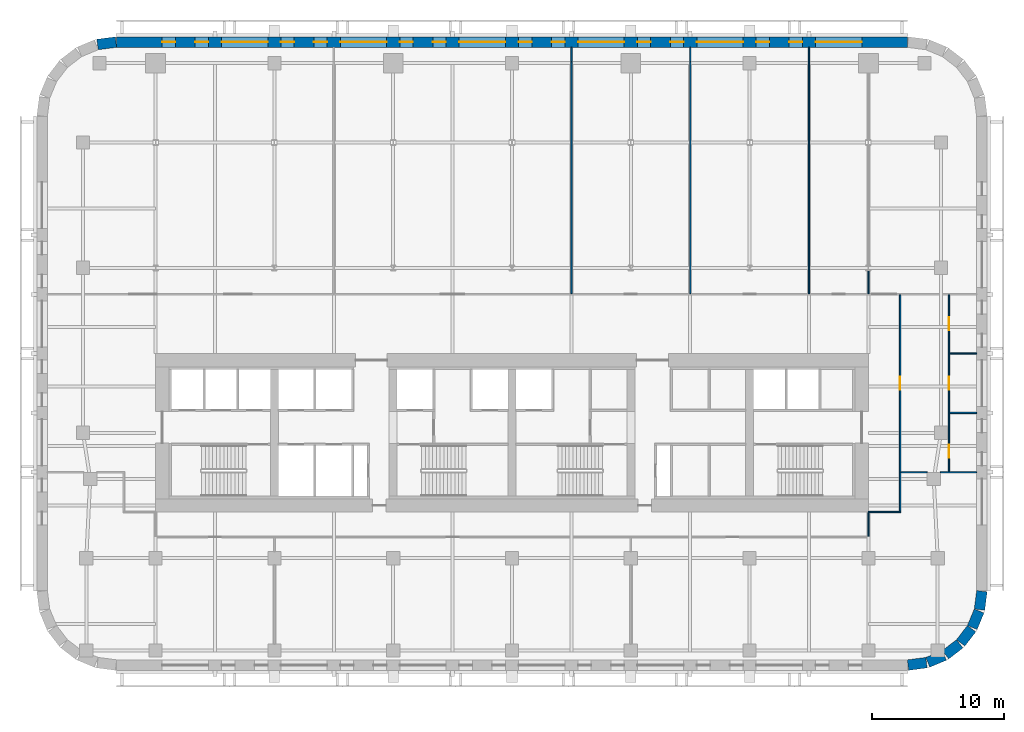
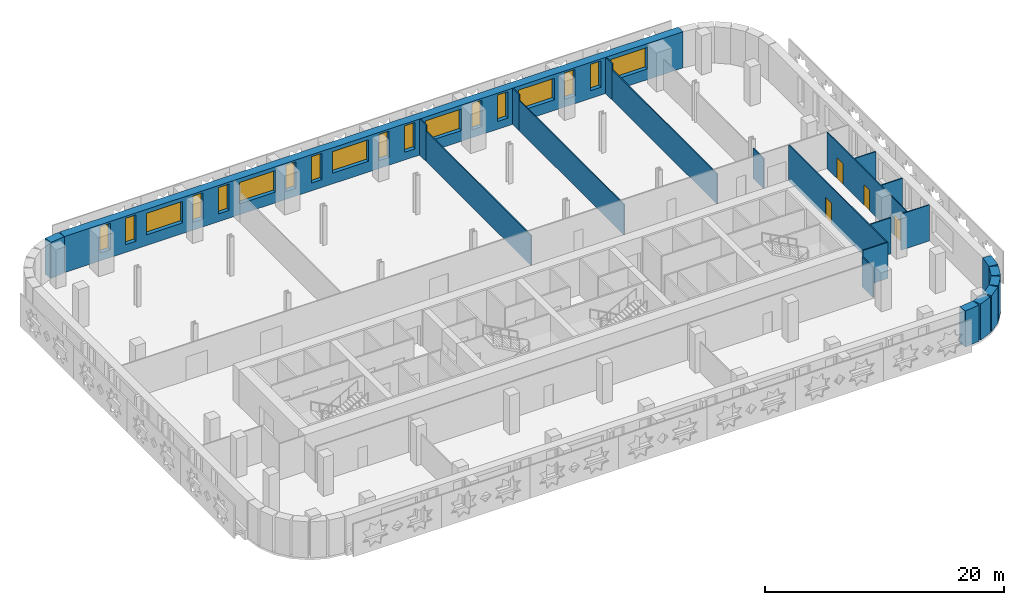
# One storey, part 6 of 10: 23 walls, 18 windows, 4 doors, 22 openings.
"""IFC4 building model written with IfcOpenShell, lengths in metres."""

from ifc_helpers import new_model, si_unit, direction, frame, frame_2d, origin, place, context, subcontext, project, spatial, rectangle, extrude, material, layer, layer_set, type_object, element, fill, save


model = new_model("IFC4")

# Units and contexts
model_context = context("Model", 3, precision=1e-05, world=origin(), true_north=direction((0.0, 1.0)))
body_context = subcontext(model_context, "Body", "Model", "MODEL_VIEW")
ifc_project = project(units=[si_unit("LENGTHUNIT", "METRE"), si_unit("AREAUNIT", "SQUARE_METRE"), si_unit("VOLUMEUNIT", "CUBIC_METRE"), si_unit("PLANEANGLEUNIT", "RADIAN"), si_unit("MASSUNIT", "GRAM", prefix="KILO")], contexts=[model_context])

# Site, building, storey
site_placement = place(None, origin())
site = spatial("IfcSite", under=ifc_project, at=site_placement, CompositionType="ELEMENT")
building_placement = place(site_placement, origin())
building = spatial("IfcBuilding", under=site, at=building_placement, Name="Zellij Exchange Tower", CompositionType="ELEMENT")
storey_placement = place(building_placement, frame((0.0, 0.0, 152.5)))
storey = spatial("IfcBuildingStorey", under=building, at=storey_placement, Name="L34", CompositionType="ELEMENT", Elevation=152.5)

# Walls
ifc_material_1 = material(Name="Precast concrete C40/50", Category="concrete")
ifc_layer_1 = layer(ifc_material_1, 0.800048828125)
ifc_layer_set_1 = layer_set([ifc_layer_1], Name="Precast concrete C40/50")
wall_type_1 = type_object("IfcWallType", Name="ENV-EW1 Precast stone-piered wall 800", PredefinedType="SOLIDWALL", material=ifc_layer_set_1)
wall_1_placement = place(storey_placement, frame((29.999755859375, -25.5966796875, 0.0), z_axis=(0.0, 0.0, 1.0), x_axis=(0.99144603414, 0.130517283865, 0.0)))
element("IfcWall", 1, at=wall_1_placement, inside=storey, type_object=wall_type_1, Name="fac.L34.01", PredefinedType="SOLIDWALL", context=body_context, shape_type="SweptSolid", body=[
    extrude(rectangle(XDim=1.408447265625, YDim=0.800048828125, at=frame_2d((0.7041015625, 0.0))), origin(), (0.0, 0.0, 1.0), 3.699951171875),
])
wall_2_placement = place(storey_placement, frame((31.497314453125, -25.3857421875, 0.0), z_axis=(0.0, 0.0, 1.0), x_axis=(0.923847774587, 0.38276009378, 0.0)))
element("IfcWall", 2, at=wall_2_placement, inside=storey, type_object=wall_type_1, Name="fac.L34.02", PredefinedType="SOLIDWALL", context=body_context, shape_type="SweptSolid", body=[
    extrude(rectangle(XDim=1.35546875, YDim=0.800048828125, at=frame_2d((0.677734375, 0.0))), origin(), (0.0, 0.0, 1.0), 3.699951171875),
])
for number, where, z_axis, x_axis, name in (
    (3, (32.840087890625, -24.814697265625, 0.0), (0.0, 0.0, 1.0), (0.793272915452, 0.608866226366, 0.0), "fac.L34.03"),
    (4, (33.9892578125, -23.91552734375, 0.0), (0.0, 0.0, 1.0), (0.608866226366, 0.793272915452, 0.0), "fac.L34.04"),
):
    element("IfcWall", number, at=place(storey_placement, frame(where, z_axis=z_axis, x_axis=x_axis)), inside=storey, type_object=wall_type_1, Name=name, PredefinedType="SOLIDWALL", context=body_context, shape_type="SweptSolid", body=[
        extrude(rectangle(XDim=1.355712890625, YDim=0.800048828125, at=frame_2d((0.677734375, 0.0))), origin(), (0.0, 0.0, 1.0), 3.699951171875),
    ])
wall_3_placement = place(storey_placement, frame((34.866943359375, -22.74951171875, 0.0), z_axis=(0.0, 0.0, 1.0), x_axis=(0.38276009378, 0.923847774587, 0.0)))
element("IfcWall", 5, at=wall_3_placement, inside=storey, type_object=wall_type_1, Name="fac.L34.05", PredefinedType="SOLIDWALL", context=body_context, shape_type="SweptSolid", body=[
    extrude(rectangle(XDim=1.35546875, YDim=0.800048828125, at=frame_2d((0.677734375, 0.0))), origin(), (0.0, 0.0, 1.0), 3.699951171875),
])
wall_4_placement = place(storey_placement, frame((35.412841796875, -21.396240234375, 0.0), z_axis=(0.0, 0.0, 1.0), x_axis=(0.130517283865, 0.99144603414, 0.0)))
element("IfcWall", 6, at=wall_4_placement, inside=storey, type_object=wall_type_1, Name="fac.L34.06", PredefinedType="SOLIDWALL", context=body_context, shape_type="SweptSolid", body=[
    extrude(rectangle(XDim=1.408447265625, YDim=0.800048828125, at=frame_2d((0.7041015625, 0.0))), origin(), (0.0, 0.0, 1.0), 3.699951171875),
])

# Wall, openings, windows
wall_5_placement = place(storey_placement, frame((29.947509765625, 21.60009765625, 0.0), z_axis=(0.0, 0.0, 1.0), x_axis=(-1.0, 0.0, 0.0)))
wall_5 = element("IfcWall", 7, at=wall_5_placement, inside=storey, type_object=wall_type_1, Name="fac.L34.14", PredefinedType="SOLIDWALL", context=body_context, shape_type="SweptSolid", body=[
    extrude(rectangle(XDim=59.89501953125, YDim=0.800048828125, at=frame_2d((29.947509765625, 0.0))), origin(), (0.0, 0.0, 1.0), 3.699951171875),
])
opening_1_placement = place(wall_5_placement, frame((3.447509765625, 0.0, 1.10009765625)))
opening_1 = element("IfcOpeningElement", 8, at=opening_1_placement, cuts=wall_5, Name="Opening FZ2.28", PredefinedType="OPENING", context=body_context, shape_type="SweptSolid", body=[
    extrude(rectangle(XDim=3.5, YDim=2.199951171875, at=frame_2d((1.75, 1.10009765625))), frame((0.0, 0.412109375, 0.0), z_axis=(0.0, -1.0, 0.0), x_axis=(1.0, 0.0, 0.0)), (0.0, 0.0, 1.0), 0.823974609375),
])
opening_2_placement = place(wall_5_placement, frame((7.947509765625, 0.0, 0.800048828125)))
opening_2 = element("IfcOpeningElement", 9, at=opening_2_placement, cuts=wall_5, Name="Opening FZ2.29", PredefinedType="OPENING", context=body_context, shape_type="SweptSolid", body=[
    extrude(rectangle(XDim=1.0, YDim=2.699951171875, at=frame_2d((0.5, 1.35009765625))), frame((0.0, 0.412109375, 0.0), z_axis=(0.0, -1.0, 0.0), x_axis=(1.0, 0.0, 0.0)), (0.0, 0.0, 1.0), 0.823974609375),
])
opening_3_placement = place(wall_5_placement, frame((10.447509765625, 0.0, 0.800048828125)))
opening_3 = element("IfcOpeningElement", 10, at=opening_3_placement, cuts=wall_5, Name="Opening FZ2.30", PredefinedType="OPENING", context=body_context, shape_type="SweptSolid", body=[
    extrude(rectangle(XDim=1.0, YDim=2.699951171875, at=frame_2d((0.5, 1.35009765625))), frame((0.0, 0.412109375, 0.0), z_axis=(0.0, -1.0, 0.0), x_axis=(1.0, 0.0, 0.0)), (0.0, 0.0, 1.0), 0.823974609375),
])
opening_4_placement = place(wall_5_placement, frame((12.447509765625, 0.0, 1.10009765625)))
opening_4 = element("IfcOpeningElement", 11, at=opening_4_placement, cuts=wall_5, Name="Opening FZ2.31", PredefinedType="OPENING", context=body_context, shape_type="SweptSolid", body=[
    extrude(rectangle(XDim=3.5, YDim=2.199951171875, at=frame_2d((1.75, 1.10009765625))), frame((0.0, 0.412109375, 0.0), z_axis=(0.0, -1.0, 0.0), x_axis=(1.0, 0.0, 0.0)), (0.0, 0.0, 1.0), 0.823974609375),
])
opening_5_placement = place(wall_5_placement, frame((16.947509765625, 0.0, 0.800048828125)))
opening_5 = element("IfcOpeningElement", 12, at=opening_5_placement, cuts=wall_5, Name="Opening FZ2.32", PredefinedType="OPENING", context=body_context, shape_type="SweptSolid", body=[
    extrude(rectangle(XDim=1.0, YDim=2.699951171875, at=frame_2d((0.5, 1.35009765625))), frame((0.0, 0.412109375, 0.0), z_axis=(0.0, -1.0, 0.0), x_axis=(1.0, 0.0, 0.0)), (0.0, 0.0, 1.0), 0.823974609375),
])
opening_6_placement = place(wall_5_placement, frame((19.447509765625, 0.0, 0.800048828125)))
opening_6 = element("IfcOpeningElement", 13, at=opening_6_placement, cuts=wall_5, Name="Opening FZ2.33", PredefinedType="OPENING", context=body_context, shape_type="SweptSolid", body=[
    extrude(rectangle(XDim=1.0, YDim=2.699951171875, at=frame_2d((0.5, 1.35009765625))), frame((0.0, 0.412109375, 0.0), z_axis=(0.0, -1.0, 0.0), x_axis=(1.0, 0.0, 0.0)), (0.0, 0.0, 1.0), 0.823974609375),
])
opening_7_placement = place(wall_5_placement, frame((21.447509765625, 0.0, 1.10009765625)))
opening_7 = element("IfcOpeningElement", 14, at=opening_7_placement, cuts=wall_5, Name="Opening FZ2.34", PredefinedType="OPENING", context=body_context, shape_type="SweptSolid", body=[
    extrude(rectangle(XDim=3.5, YDim=2.199951171875, at=frame_2d((1.75, 1.10009765625))), frame((0.0, 0.412109375, 0.0), z_axis=(0.0, -1.0, 0.0), x_axis=(1.0, 0.0, 0.0)), (0.0, 0.0, 1.0), 0.823974609375),
])
opening_8_placement = place(wall_5_placement, frame((25.947509765625, 0.0, 0.800048828125)))
opening_8 = element("IfcOpeningElement", 15, at=opening_8_placement, cuts=wall_5, Name="Opening FZ2.35", PredefinedType="OPENING", context=body_context, shape_type="SweptSolid", body=[
    extrude(rectangle(XDim=1.0, YDim=2.699951171875, at=frame_2d((0.5, 1.35009765625))), frame((0.0, 0.412109375, 0.0), z_axis=(0.0, -1.0, 0.0), x_axis=(1.0, 0.0, 0.0)), (0.0, 0.0, 1.0), 0.823974609375),
])
opening_9_placement = place(wall_5_placement, frame((28.447509765625, 0.0, 0.800048828125)))
opening_9 = element("IfcOpeningElement", 16, at=opening_9_placement, cuts=wall_5, Name="Opening FZ2.36", PredefinedType="OPENING", context=body_context, shape_type="SweptSolid", body=[
    extrude(rectangle(XDim=1.0, YDim=2.699951171875, at=frame_2d((0.5, 1.35009765625))), frame((0.0, 0.412109375, 0.0), z_axis=(0.0, -1.0, 0.0), x_axis=(1.0, 0.0, 0.0)), (0.0, 0.0, 1.0), 0.823974609375),
])
opening_10_placement = place(wall_5_placement, frame((30.447509765625, 0.0, 1.10009765625)))
opening_10 = element("IfcOpeningElement", 17, at=opening_10_placement, cuts=wall_5, Name="Opening FZ2.37", PredefinedType="OPENING", context=body_context, shape_type="SweptSolid", body=[
    extrude(rectangle(XDim=3.5, YDim=2.199951171875, at=frame_2d((1.75, 1.10009765625))), frame((0.0, 0.412109375, 0.0), z_axis=(0.0, -1.0, 0.0), x_axis=(1.0, 0.0, 0.0)), (0.0, 0.0, 1.0), 0.823974609375),
])
opening_11_placement = place(wall_5_placement, frame((34.947509765625, 0.0, 0.800048828125)))
opening_11 = element("IfcOpeningElement", 18, at=opening_11_placement, cuts=wall_5, Name="Opening FZ2.38", PredefinedType="OPENING", context=body_context, shape_type="SweptSolid", body=[
    extrude(rectangle(XDim=1.0, YDim=2.699951171875, at=frame_2d((0.5, 1.35009765625))), frame((0.0, 0.412109375, 0.0), z_axis=(0.0, -1.0, 0.0), x_axis=(1.0, 0.0, 0.0)), (0.0, 0.0, 1.0), 0.823974609375),
])
opening_12_placement = place(wall_5_placement, frame((37.447509765625, 0.0, 0.800048828125)))
opening_12 = element("IfcOpeningElement", 19, at=opening_12_placement, cuts=wall_5, Name="Opening FZ2.39", PredefinedType="OPENING", context=body_context, shape_type="SweptSolid", body=[
    extrude(rectangle(XDim=1.0, YDim=2.699951171875, at=frame_2d((0.5, 1.35009765625))), frame((0.0, 0.412109375, 0.0), z_axis=(0.0, -1.0, 0.0), x_axis=(1.0, 0.0, 0.0)), (0.0, 0.0, 1.0), 0.823974609375),
])
opening_13_placement = place(wall_5_placement, frame((39.447509765625, 0.0, 1.10009765625)))
opening_13 = element("IfcOpeningElement", 20, at=opening_13_placement, cuts=wall_5, Name="Opening FZ2.40", PredefinedType="OPENING", context=body_context, shape_type="SweptSolid", body=[
    extrude(rectangle(XDim=3.5, YDim=2.199951171875, at=frame_2d((1.75, 1.10009765625))), frame((0.0, 0.412109375, 0.0), z_axis=(0.0, -1.0, 0.0), x_axis=(1.0, 0.0, 0.0)), (0.0, 0.0, 1.0), 0.823974609375),
])
opening_14_placement = place(wall_5_placement, frame((43.947509765625, 0.0, 0.800048828125)))
opening_14 = element("IfcOpeningElement", 21, at=opening_14_placement, cuts=wall_5, Name="Opening FZ2.41", PredefinedType="OPENING", context=body_context, shape_type="SweptSolid", body=[
    extrude(rectangle(XDim=1.0, YDim=2.699951171875, at=frame_2d((0.5, 1.35009765625))), frame((0.0, 0.412109375, 0.0), z_axis=(0.0, -1.0, 0.0), x_axis=(1.0, 0.0, 0.0)), (0.0, 0.0, 1.0), 0.823974609375),
])
opening_15_placement = place(wall_5_placement, frame((46.447509765625, 0.0, 0.800048828125)))
opening_15 = element("IfcOpeningElement", 22, at=opening_15_placement, cuts=wall_5, Name="Opening FZ2.42", PredefinedType="OPENING", context=body_context, shape_type="SweptSolid", body=[
    extrude(rectangle(XDim=1.0, YDim=2.699951171875, at=frame_2d((0.5, 1.35009765625))), frame((0.0, 0.412109375, 0.0), z_axis=(0.0, -1.0, 0.0), x_axis=(1.0, 0.0, 0.0)), (0.0, 0.0, 1.0), 0.823974609375),
])
opening_16_placement = place(wall_5_placement, frame((48.447509765625, 0.0, 1.10009765625)))
opening_16 = element("IfcOpeningElement", 23, at=opening_16_placement, cuts=wall_5, Name="Opening FZ2.43", PredefinedType="OPENING", context=body_context, shape_type="SweptSolid", body=[
    extrude(rectangle(XDim=3.5, YDim=2.199951171875, at=frame_2d((1.75, 1.10009765625))), frame((0.0, 0.412109375, 0.0), z_axis=(0.0, -1.0, 0.0), x_axis=(1.0, 0.0, 0.0)), (0.0, 0.0, 1.0), 0.823974609375),
])
opening_17_placement = place(wall_5_placement, frame((52.947509765625, 0.0, 0.800048828125)))
opening_17 = element("IfcOpeningElement", 24, at=opening_17_placement, cuts=wall_5, Name="Opening FZ2.44", PredefinedType="OPENING", context=body_context, shape_type="SweptSolid", body=[
    extrude(rectangle(XDim=1.0, YDim=2.699951171875, at=frame_2d((0.5, 1.35009765625))), frame((0.0, 0.412109375, 0.0), z_axis=(0.0, -1.0, 0.0), x_axis=(1.0, 0.0, 0.0)), (0.0, 0.0, 1.0), 0.823974609375),
])
opening_18_placement = place(wall_5_placement, frame((55.447509765625, 0.0, 0.800048828125)))
opening_18 = element("IfcOpeningElement", 25, at=opening_18_placement, cuts=wall_5, Name="Opening FZ2.45", PredefinedType="OPENING", context=body_context, shape_type="SweptSolid", body=[
    extrude(rectangle(XDim=1.0, YDim=2.699951171875, at=frame_2d((0.5, 1.35009765625))), frame((0.0, 0.412109375, 0.0), z_axis=(0.0, -1.0, 0.0), x_axis=(1.0, 0.0, 0.0)), (0.0, 0.0, 1.0), 0.823974609375),
])
ifc_material_2 = material(Name="Aluminium frame with insulating glass", Category="aluminium")
window_type_1 = type_object("IfcWindowType", Name="ENV-W7 Window 3500x2200", PartitioningType="SINGLE_PANEL", PredefinedType="WINDOW", material=ifc_material_2)
window_1_placement = place(opening_1_placement, origin())
window_1 = element("IfcWindow", 26, at=window_1_placement, inside=storey, type_object=window_type_1, Name="Window FZ2.28", OverallHeight=2.199951171875, OverallWidth=3.5, PartitioningType="SINGLE_PANEL", PredefinedType="WINDOW", context=body_context, shape_type="SweptSolid", body=[
    extrude(rectangle(XDim=3.5, YDim=2.199951171875, at=frame_2d((1.75, 1.10009765625))), frame((0.0, 0.030029296875, 0.0), z_axis=(0.0, -1.0, 0.0), x_axis=(1.0, 0.0, 0.0)), (0.0, 0.0, 1.0), 0.06005859375),
])
fill(opening_1, window_1)
window_2_placement = place(opening_4_placement, origin())
window_2 = element("IfcWindow", 27, at=window_2_placement, inside=storey, type_object=window_type_1, Name="Window FZ2.31", OverallHeight=2.199951171875, OverallWidth=3.5, PartitioningType="SINGLE_PANEL", PredefinedType="WINDOW", context=body_context, shape_type="SweptSolid", body=[
    extrude(rectangle(XDim=3.5, YDim=2.199951171875, at=frame_2d((1.75, 1.10009765625))), frame((0.0, 0.030029296875, 0.0), z_axis=(0.0, -1.0, 0.0), x_axis=(1.0, 0.0, 0.0)), (0.0, 0.0, 1.0), 0.06005859375),
])
fill(opening_4, window_2)
window_3_placement = place(opening_7_placement, origin())
window_3 = element("IfcWindow", 28, at=window_3_placement, inside=storey, type_object=window_type_1, Name="Window FZ2.34", OverallHeight=2.199951171875, OverallWidth=3.5, PartitioningType="SINGLE_PANEL", PredefinedType="WINDOW", context=body_context, shape_type="SweptSolid", body=[
    extrude(rectangle(XDim=3.5, YDim=2.199951171875, at=frame_2d((1.75, 1.10009765625))), frame((0.0, 0.030029296875, 0.0), z_axis=(0.0, -1.0, 0.0), x_axis=(1.0, 0.0, 0.0)), (0.0, 0.0, 1.0), 0.06005859375),
])
fill(opening_7, window_3)
window_4_placement = place(opening_10_placement, origin())
window_4 = element("IfcWindow", 29, at=window_4_placement, inside=storey, type_object=window_type_1, Name="Window FZ2.37", OverallHeight=2.199951171875, OverallWidth=3.5, PartitioningType="SINGLE_PANEL", PredefinedType="WINDOW", context=body_context, shape_type="SweptSolid", body=[
    extrude(rectangle(XDim=3.5, YDim=2.199951171875, at=frame_2d((1.75, 1.10009765625))), frame((0.0, 0.030029296875, 0.0), z_axis=(0.0, -1.0, 0.0), x_axis=(1.0, 0.0, 0.0)), (0.0, 0.0, 1.0), 0.06005859375),
])
fill(opening_10, window_4)
window_5_placement = place(opening_13_placement, origin())
window_5 = element("IfcWindow", 30, at=window_5_placement, inside=storey, type_object=window_type_1, Name="Window FZ2.40", OverallHeight=2.199951171875, OverallWidth=3.5, PartitioningType="SINGLE_PANEL", PredefinedType="WINDOW", context=body_context, shape_type="SweptSolid", body=[
    extrude(rectangle(XDim=3.5, YDim=2.199951171875, at=frame_2d((1.75, 1.10009765625))), frame((0.0, 0.030029296875, 0.0), z_axis=(0.0, -1.0, 0.0), x_axis=(1.0, 0.0, 0.0)), (0.0, 0.0, 1.0), 0.06005859375),
])
fill(opening_13, window_5)
window_6_placement = place(opening_16_placement, origin())
window_6 = element("IfcWindow", 31, at=window_6_placement, inside=storey, type_object=window_type_1, Name="Window FZ2.43", OverallHeight=2.199951171875, OverallWidth=3.5, PartitioningType="SINGLE_PANEL", PredefinedType="WINDOW", context=body_context, shape_type="SweptSolid", body=[
    extrude(rectangle(XDim=3.5, YDim=2.199951171875, at=frame_2d((1.75, 1.10009765625))), frame((0.0, 0.030029296875, 0.0), z_axis=(0.0, -1.0, 0.0), x_axis=(1.0, 0.0, 0.0)), (0.0, 0.0, 1.0), 0.06005859375),
])
fill(opening_16, window_6)
window_type_2 = type_object("IfcWindowType", Name="ENV-W8 Window 1000x2700", PartitioningType="SINGLE_PANEL", PredefinedType="WINDOW", material=ifc_material_2)
window_7_placement = place(opening_2_placement, origin())
window_7 = element("IfcWindow", 32, at=window_7_placement, inside=storey, type_object=window_type_2, Name="Window FZ2.29", OverallHeight=2.699951171875, OverallWidth=1.0, PartitioningType="SINGLE_PANEL", PredefinedType="WINDOW", context=body_context, shape_type="SweptSolid", body=[
    extrude(rectangle(XDim=1.0, YDim=2.699951171875, at=frame_2d((0.5, 1.35009765625))), frame((0.0, 0.030029296875, 0.0), z_axis=(0.0, -1.0, 0.0), x_axis=(1.0, 0.0, 0.0)), (0.0, 0.0, 1.0), 0.06005859375),
])
fill(opening_2, window_7)
window_8_placement = place(opening_3_placement, origin())
window_8 = element("IfcWindow", 33, at=window_8_placement, inside=storey, type_object=window_type_2, Name="Window FZ2.30", OverallHeight=2.699951171875, OverallWidth=1.0, PartitioningType="SINGLE_PANEL", PredefinedType="WINDOW", context=body_context, shape_type="SweptSolid", body=[
    extrude(rectangle(XDim=1.0, YDim=2.699951171875, at=frame_2d((0.5, 1.35009765625))), frame((0.0, 0.030029296875, 0.0), z_axis=(0.0, -1.0, 0.0), x_axis=(1.0, 0.0, 0.0)), (0.0, 0.0, 1.0), 0.06005859375),
])
fill(opening_3, window_8)
window_9_placement = place(opening_5_placement, origin())
window_9 = element("IfcWindow", 34, at=window_9_placement, inside=storey, type_object=window_type_2, Name="Window FZ2.32", OverallHeight=2.699951171875, OverallWidth=1.0, PartitioningType="SINGLE_PANEL", PredefinedType="WINDOW", context=body_context, shape_type="SweptSolid", body=[
    extrude(rectangle(XDim=1.0, YDim=2.699951171875, at=frame_2d((0.5, 1.35009765625))), frame((0.0, 0.030029296875, 0.0), z_axis=(0.0, -1.0, 0.0), x_axis=(1.0, 0.0, 0.0)), (0.0, 0.0, 1.0), 0.06005859375),
])
fill(opening_5, window_9)
window_10_placement = place(opening_6_placement, origin())
window_10 = element("IfcWindow", 35, at=window_10_placement, inside=storey, type_object=window_type_2, Name="Window FZ2.33", OverallHeight=2.699951171875, OverallWidth=1.0, PartitioningType="SINGLE_PANEL", PredefinedType="WINDOW", context=body_context, shape_type="SweptSolid", body=[
    extrude(rectangle(XDim=1.0, YDim=2.699951171875, at=frame_2d((0.5, 1.35009765625))), frame((0.0, 0.030029296875, 0.0), z_axis=(0.0, -1.0, 0.0), x_axis=(1.0, 0.0, 0.0)), (0.0, 0.0, 1.0), 0.06005859375),
])
fill(opening_6, window_10)
window_11_placement = place(opening_8_placement, origin())
window_11 = element("IfcWindow", 36, at=window_11_placement, inside=storey, type_object=window_type_2, Name="Window FZ2.35", OverallHeight=2.699951171875, OverallWidth=1.0, PartitioningType="SINGLE_PANEL", PredefinedType="WINDOW", context=body_context, shape_type="SweptSolid", body=[
    extrude(rectangle(XDim=1.0, YDim=2.699951171875, at=frame_2d((0.5, 1.35009765625))), frame((0.0, 0.030029296875, 0.0), z_axis=(0.0, -1.0, 0.0), x_axis=(1.0, 0.0, 0.0)), (0.0, 0.0, 1.0), 0.06005859375),
])
fill(opening_8, window_11)
window_12_placement = place(opening_9_placement, origin())
window_12 = element("IfcWindow", 37, at=window_12_placement, inside=storey, type_object=window_type_2, Name="Window FZ2.36", OverallHeight=2.699951171875, OverallWidth=1.0, PartitioningType="SINGLE_PANEL", PredefinedType="WINDOW", context=body_context, shape_type="SweptSolid", body=[
    extrude(rectangle(XDim=1.0, YDim=2.699951171875, at=frame_2d((0.5, 1.35009765625))), frame((0.0, 0.030029296875, 0.0), z_axis=(0.0, -1.0, 0.0), x_axis=(1.0, 0.0, 0.0)), (0.0, 0.0, 1.0), 0.06005859375),
])
fill(opening_9, window_12)
window_13_placement = place(opening_11_placement, origin())
window_13 = element("IfcWindow", 38, at=window_13_placement, inside=storey, type_object=window_type_2, Name="Window FZ2.38", OverallHeight=2.699951171875, OverallWidth=1.0, PartitioningType="SINGLE_PANEL", PredefinedType="WINDOW", context=body_context, shape_type="SweptSolid", body=[
    extrude(rectangle(XDim=1.0, YDim=2.699951171875, at=frame_2d((0.5, 1.35009765625))), frame((0.0, 0.030029296875, 0.0), z_axis=(0.0, -1.0, 0.0), x_axis=(1.0, 0.0, 0.0)), (0.0, 0.0, 1.0), 0.06005859375),
])
fill(opening_11, window_13)
window_14_placement = place(opening_12_placement, origin())
window_14 = element("IfcWindow", 39, at=window_14_placement, inside=storey, type_object=window_type_2, Name="Window FZ2.39", OverallHeight=2.699951171875, OverallWidth=1.0, PartitioningType="SINGLE_PANEL", PredefinedType="WINDOW", context=body_context, shape_type="SweptSolid", body=[
    extrude(rectangle(XDim=1.0, YDim=2.699951171875, at=frame_2d((0.5, 1.35009765625))), frame((0.0, 0.030029296875, 0.0), z_axis=(0.0, -1.0, 0.0), x_axis=(1.0, 0.0, 0.0)), (0.0, 0.0, 1.0), 0.06005859375),
])
fill(opening_12, window_14)
window_15_placement = place(opening_14_placement, origin())
window_15 = element("IfcWindow", 40, at=window_15_placement, inside=storey, type_object=window_type_2, Name="Window FZ2.41", OverallHeight=2.699951171875, OverallWidth=1.0, PartitioningType="SINGLE_PANEL", PredefinedType="WINDOW", context=body_context, shape_type="SweptSolid", body=[
    extrude(rectangle(XDim=1.0, YDim=2.699951171875, at=frame_2d((0.5, 1.35009765625))), frame((0.0, 0.030029296875, 0.0), z_axis=(0.0, -1.0, 0.0), x_axis=(1.0, 0.0, 0.0)), (0.0, 0.0, 1.0), 0.06005859375),
])
fill(opening_14, window_15)
window_16_placement = place(opening_15_placement, origin())
window_16 = element("IfcWindow", 41, at=window_16_placement, inside=storey, type_object=window_type_2, Name="Window FZ2.42", OverallHeight=2.699951171875, OverallWidth=1.0, PartitioningType="SINGLE_PANEL", PredefinedType="WINDOW", context=body_context, shape_type="SweptSolid", body=[
    extrude(rectangle(XDim=1.0, YDim=2.699951171875, at=frame_2d((0.5, 1.35009765625))), frame((0.0, 0.030029296875, 0.0), z_axis=(0.0, -1.0, 0.0), x_axis=(1.0, 0.0, 0.0)), (0.0, 0.0, 1.0), 0.06005859375),
])
fill(opening_15, window_16)
window_17_placement = place(opening_17_placement, origin())
window_17 = element("IfcWindow", 42, at=window_17_placement, inside=storey, type_object=window_type_2, Name="Window FZ2.44", OverallHeight=2.699951171875, OverallWidth=1.0, PartitioningType="SINGLE_PANEL", PredefinedType="WINDOW", context=body_context, shape_type="SweptSolid", body=[
    extrude(rectangle(XDim=1.0, YDim=2.699951171875, at=frame_2d((0.5, 1.35009765625))), frame((0.0, 0.030029296875, 0.0), z_axis=(0.0, -1.0, 0.0), x_axis=(1.0, 0.0, 0.0)), (0.0, 0.0, 1.0), 0.06005859375),
])
fill(opening_17, window_17)
window_18_placement = place(opening_18_placement, origin())
window_18 = element("IfcWindow", 43, at=window_18_placement, inside=storey, type_object=window_type_2, Name="Window FZ2.45", OverallHeight=2.699951171875, OverallWidth=1.0, PartitioningType="SINGLE_PANEL", PredefinedType="WINDOW", context=body_context, shape_type="SweptSolid", body=[
    extrude(rectangle(XDim=1.0, YDim=2.699951171875, at=frame_2d((0.5, 1.35009765625))), frame((0.0, 0.030029296875, 0.0), z_axis=(0.0, -1.0, 0.0), x_axis=(1.0, 0.0, 0.0)), (0.0, 0.0, 1.0), 0.06005859375),
])
fill(opening_18, window_18)

# Walls
wall_6_placement = place(storey_placement, frame((-29.999755859375, 21.5966796875, 0.0), z_axis=(0.0, 0.0, 1.0), x_axis=(-0.99144603414, -0.130517283865, 0.0)))
element("IfcWall", 44, at=wall_6_placement, inside=storey, type_object=wall_type_1, Name="fac.L34.15", PredefinedType="SOLIDWALL", context=body_context, shape_type="SweptSolid", body=[
    extrude(rectangle(XDim=1.408447265625, YDim=0.800048828125, at=frame_2d((0.7041015625, 0.0))), origin(), (0.0, 0.0, 1.0), 3.699951171875),
])
ifc_material_3 = material(Name="Gypsum board partition on steel studs", Category="steel")
ifc_layer_2 = layer(ifc_material_3, 0.10009765625)
ifc_layer_set_2 = layer_set([ifc_layer_2], Name="Gypsum board partition on steel studs")
wall_type_2 = type_object("IfcWallType", Name="FIT-PARTITION-100", PredefinedType="PARTITIONING", material=ifc_layer_set_2)
wall_7_placement = place(storey_placement, frame((27.0, -15.85009765625, 0.0), z_axis=(0.0, 0.0, 1.0), x_axis=(0.0, 1.0, 0.0)))
element("IfcWall", 45, at=wall_7_placement, inside=storey, type_object=wall_type_2, Name="FIT-PARTITION-100 007", PredefinedType="PARTITIONING", context=body_context, shape_type="SweptSolid", body=[
    extrude(rectangle(XDim=1.800048828125, YDim=0.10009765625, at=frame_2d((0.89990234375, 0.0))), origin(), (0.0, 0.0, 1.0), 3.087890625),
])
wall_8_placement = place(storey_placement, frame((27.0, -14.0, 0.0), z_axis=(0.0, 0.0, 1.0), x_axis=(1.0, 0.0, 0.0)))
element("IfcWall", 46, at=wall_8_placement, inside=storey, type_object=wall_type_2, Name="FIT-PARTITION-100 010", PredefinedType="PARTITIONING", context=body_context, shape_type="SweptSolid", body=[
    extrude(rectangle(XDim=2.449951171875, YDim=0.10009765625, at=frame_2d((1.22509765625, 0.0))), origin(), (0.0, 0.0, 1.0), 3.699951171875),
])

# Wall, opening, door
wall_9_placement = place(storey_placement, frame((29.39990234375, -13.949951171875, 0.0), z_axis=(0.0, 0.0, 1.0), x_axis=(0.0, 1.0, 0.0)))
wall_9 = element("IfcWall", 47, at=wall_9_placement, inside=storey, type_object=wall_type_2, Name="FIT-PARTITION-100 011", PredefinedType="PARTITIONING", context=body_context, shape_type="SweptSolid", body=[
    extrude(rectangle(XDim=16.389892578125, YDim=0.10009765625, at=frame_2d((8.19482421875, 0.0))), origin(), (0.0, 0.0, 1.0), 3.699951171875),
])
opening_19_placement = place(wall_9_placement, frame((9.2099609375, 0.0, 0.0)))
opening_19 = element("IfcOpeningElement", 48, at=opening_19_placement, cuts=wall_9, Name="Opening TH.05", PredefinedType="OPENING", context=body_context, shape_type="SweptSolid", body=[
    extrude(rectangle(XDim=1.0, YDim=2.10009765625, at=frame_2d((0.5, 1.050048828125))), frame((0.0, 0.06201171875, 0.0), z_axis=(0.0, -1.0, 0.0), x_axis=(1.0, 0.0, 0.0)), (0.0, 0.0, 1.0), 0.1240234375),
])
ifc_material_4 = material(Name="Timber door set", Category="wood")
door_type = type_object("IfcDoorType", Name="FIT-D2-WIDE-1000X2100", OperationType="SINGLE_SWING_LEFT", PredefinedType="DOOR", material=ifc_material_4)
door_1_placement = place(opening_19_placement, origin())
door_1 = element("IfcDoor", 49, at=door_1_placement, inside=storey, type_object=door_type, Name="Door TH.05", OperationType="SINGLE_SWING_LEFT", OverallHeight=2.10009765625, OverallWidth=1.0, PredefinedType="DOOR", context=body_context, shape_type="SweptSolid", body=[
    extrude(rectangle(XDim=1.0, YDim=2.10009765625, at=frame_2d((0.5, 1.050048828125))), frame((0.0, 0.02490234375, 0.0), z_axis=(0.0, -1.0, 0.0), x_axis=(1.0, 0.0, 0.0)), (0.0, 0.0, 1.0), 0.050048828125),
])
fill(opening_19, door_1)

# Walls
wall_10_placement = place(storey_placement, frame((29.449951171875, -10.989990234375, 0.0), z_axis=(0.0, 0.0, 1.0), x_axis=(1.0, 0.0, 0.0)))
element("IfcWall", 50, at=wall_10_placement, inside=storey, type_object=wall_type_2, Name="FIT-PARTITION-100 014", PredefinedType="PARTITIONING", context=body_context, shape_type="SweptSolid", body=[
    extrude(rectangle(XDim=2.0, YDim=0.10009765625, at=frame_2d((1.0, 0.0))), origin(), (0.0, 0.0, 1.0), 3.699951171875),
])
wall_11_placement = place(storey_placement, frame((32.449951171875, -10.989990234375, 0.0), z_axis=(0.0, 0.0, 1.0), x_axis=(1.0, 0.0, 0.0)))
element("IfcWall", 51, at=wall_11_placement, inside=storey, type_object=wall_type_2, Name="FIT-PARTITION-100 015", PredefinedType="PARTITIONING", context=body_context, shape_type="SweptSolid", body=[
    extrude(rectangle(XDim=2.75, YDim=0.10009765625, at=frame_2d((1.375, 0.0))), origin(), (0.0, 0.0, 1.0), 3.699951171875),
])

# Wall, openings, doors
wall_12_placement = place(storey_placement, frame((33.10009765625, -10.93994140625, 0.0), z_axis=(0.0, 0.0, 1.0), x_axis=(0.0, 1.0, 0.0)))
wall_12 = element("IfcWall", 52, at=wall_12_placement, inside=storey, type_object=wall_type_2, Name="FIT-PARTITION-100 016", PredefinedType="PARTITIONING", context=body_context, shape_type="SweptSolid", body=[
    extrude(rectangle(XDim=13.3798828125, YDim=0.10009765625, at=frame_2d((6.68994140625, 0.0))), origin(), (0.0, 0.0, 1.0), 3.699951171875),
])
opening_20_placement = place(wall_12_placement, frame((1.050048828125, 0.0, 0.0)))
opening_20 = element("IfcOpeningElement", 53, at=opening_20_placement, cuts=wall_12, Name="Opening TH.04", PredefinedType="OPENING", context=body_context, shape_type="SweptSolid", body=[
    extrude(rectangle(XDim=1.0, YDim=2.10009765625, at=frame_2d((0.5, 1.050048828125))), frame((0.0, 0.06201171875, 0.0), z_axis=(0.0, -1.0, 0.0), x_axis=(1.0, 0.0, 0.0)), (0.0, 0.0, 1.0), 0.1240234375),
])
opening_21_placement = place(wall_12_placement, frame((6.199951171875, 0.0, 0.0)))
opening_21 = element("IfcOpeningElement", 54, at=opening_21_placement, cuts=wall_12, Name="Opening TH.06", PredefinedType="OPENING", context=body_context, shape_type="SweptSolid", body=[
    extrude(rectangle(XDim=1.0, YDim=2.10009765625, at=frame_2d((0.5, 1.050048828125))), frame((0.0, 0.06201171875, 0.0), z_axis=(0.0, -1.0, 0.0), x_axis=(1.0, 0.0, 0.0)), (0.0, 0.0, 1.0), 0.1240234375),
])
opening_22_placement = place(wall_12_placement, frame((10.68994140625, 0.0, 0.0)))
opening_22 = element("IfcOpeningElement", 55, at=opening_22_placement, cuts=wall_12, Name="Opening TH.07", PredefinedType="OPENING", context=body_context, shape_type="SweptSolid", body=[
    extrude(rectangle(XDim=1.0, YDim=2.10009765625, at=frame_2d((0.5, 1.050048828125))), frame((0.0, 0.06201171875, 0.0), z_axis=(0.0, -1.0, 0.0), x_axis=(1.0, 0.0, 0.0)), (0.0, 0.0, 1.0), 0.1240234375),
])
door_2_placement = place(opening_20_placement, origin())
door_2 = element("IfcDoor", 56, at=door_2_placement, inside=storey, type_object=door_type, Name="Door TH.04", OperationType="SINGLE_SWING_LEFT", OverallHeight=2.10009765625, OverallWidth=1.0, PredefinedType="DOOR", context=body_context, shape_type="SweptSolid", body=[
    extrude(rectangle(XDim=1.0, YDim=2.10009765625, at=frame_2d((0.5, 1.050048828125))), frame((0.0, 0.02490234375, 0.0), z_axis=(0.0, -1.0, 0.0), x_axis=(1.0, 0.0, 0.0)), (0.0, 0.0, 1.0), 0.050048828125),
])
fill(opening_20, door_2)
door_3_placement = place(opening_21_placement, origin())
door_3 = element("IfcDoor", 57, at=door_3_placement, inside=storey, type_object=door_type, Name="Door TH.06", OperationType="SINGLE_SWING_RIGHT", OverallHeight=2.10009765625, OverallWidth=1.0, PredefinedType="DOOR", context=body_context, shape_type="SweptSolid", body=[
    extrude(rectangle(XDim=1.0, YDim=2.10009765625, at=frame_2d((0.5, 1.050048828125))), frame((0.0, 0.02490234375, 0.0), z_axis=(0.0, -1.0, 0.0), x_axis=(1.0, 0.0, 0.0)), (0.0, 0.0, 1.0), 0.050048828125),
])
fill(opening_21, door_3)
door_4_placement = place(opening_22_placement, origin())
door_4 = element("IfcDoor", 58, at=door_4_placement, inside=storey, type_object=door_type, Name="Door TH.07", OperationType="SINGLE_SWING_RIGHT", OverallHeight=2.10009765625, OverallWidth=1.0, PredefinedType="DOOR", context=body_context, shape_type="SweptSolid", body=[
    extrude(rectangle(XDim=1.0, YDim=2.10009765625, at=frame_2d((0.5, 1.050048828125))), frame((0.0, 0.02490234375, 0.0), z_axis=(0.0, -1.0, 0.0), x_axis=(1.0, 0.0, 0.0)), (0.0, 0.0, 1.0), 0.050048828125),
])
fill(opening_22, door_4)

# Walls
for number, where, z_axis, x_axis, name in (
    (59, (33.14990234375, -6.489990234375, 0.0), (0.0, 0.0, 1.0), (1.0, 0.0, 0.0), "FIT-PARTITION-100 017"),
    (60, (33.14990234375, -2.0, 0.0), (0.0, 0.0, 1.0), (1.0, 0.0, 0.0), "FIT-PARTITION-100 018"),
):
    element("IfcWall", number, at=place(storey_placement, frame(where, z_axis=z_axis, x_axis=x_axis)), inside=storey, type_object=wall_type_2, Name=name, PredefinedType="PARTITIONING", context=body_context, shape_type="SweptSolid", body=[
        extrude(rectangle(XDim=2.050048828125, YDim=0.10009765625, at=frame_2d((1.02490234375, 0.0))), origin(), (0.0, 0.0, 1.0), 3.699951171875),
    ])
wall_13_placement = place(storey_placement, frame((4.5, 2.5400390625, 0.0), z_axis=(0.0, 0.0, 1.0), x_axis=(0.0, 1.0, 0.0)))
element("IfcWall", 61, at=wall_13_placement, inside=storey, type_object=wall_type_2, Name="FIT-PARTITION-100 022", PredefinedType="PARTITIONING", context=body_context, shape_type="SweptSolid", body=[
    extrude(rectangle(XDim=17.574462890625, YDim=0.10009765625, at=frame_2d((8.787109375, 0.0))), origin(), (0.0, 0.0, 1.0), 3.097900390625),
])
wall_14_placement = place(storey_placement, frame((4.5, 20.114501953125, 0.0), z_axis=(0.0, 0.0, 1.0), x_axis=(0.0, 1.0, 0.0)))
element("IfcWall", 62, at=wall_14_placement, inside=storey, type_object=wall_type_2, Name="FIT-PARTITION-100 023", PredefinedType="PARTITIONING", context=body_context, shape_type="SweptSolid", body=[
    extrude(rectangle(XDim=1.08544921875, YDim=0.10009765625, at=frame_2d((0.542724609375, 0.0))), origin(), (0.0, 0.0, 1.0), 3.699951171875),
])
wall_15_placement = place(storey_placement, frame((13.5, 2.5400390625, 0.0), z_axis=(0.0, 0.0, 1.0), x_axis=(0.0, 1.0, 0.0)))
element("IfcWall", 63, at=wall_15_placement, inside=storey, type_object=wall_type_2, Name="FIT-PARTITION-100 024", PredefinedType="PARTITIONING", context=body_context, shape_type="SweptSolid", body=[
    extrude(rectangle(XDim=17.574462890625, YDim=0.10009765625, at=frame_2d((8.787109375, 0.0))), origin(), (0.0, 0.0, 1.0), 3.097900390625),
])
wall_16_placement = place(storey_placement, frame((13.5, 20.114501953125, 0.0), z_axis=(0.0, 0.0, 1.0), x_axis=(0.0, 1.0, 0.0)))
element("IfcWall", 64, at=wall_16_placement, inside=storey, type_object=wall_type_2, Name="FIT-PARTITION-100 025", PredefinedType="PARTITIONING", context=body_context, shape_type="SweptSolid", body=[
    extrude(rectangle(XDim=1.08544921875, YDim=0.10009765625, at=frame_2d((0.542724609375, 0.0))), origin(), (0.0, 0.0, 1.0), 3.699951171875),
])
wall_17_placement = place(storey_placement, frame((22.5, 2.5400390625, 0.0), z_axis=(0.0, 0.0, 1.0), x_axis=(0.0, 1.0, 0.0)))
element("IfcWall", 65, at=wall_17_placement, inside=storey, type_object=wall_type_2, Name="FIT-PARTITION-100 026", PredefinedType="PARTITIONING", context=body_context, shape_type="SweptSolid", body=[
    extrude(rectangle(XDim=17.574462890625, YDim=0.10009765625, at=frame_2d((8.787109375, 0.0))), origin(), (0.0, 0.0, 1.0), 3.097900390625),
])
wall_18_placement = place(storey_placement, frame((22.5, 20.114501953125, 0.0), z_axis=(0.0, 0.0, 1.0), x_axis=(0.0, 1.0, 0.0)))
element("IfcWall", 66, at=wall_18_placement, inside=storey, type_object=wall_type_2, Name="FIT-PARTITION-100 027", PredefinedType="PARTITIONING", context=body_context, shape_type="SweptSolid", body=[
    extrude(rectangle(XDim=1.08544921875, YDim=0.10009765625, at=frame_2d((0.542724609375, 0.0))), origin(), (0.0, 0.0, 1.0), 3.699951171875),
])
wall_19_placement = place(storey_placement, frame((27.0, 2.5400390625, 0.0), z_axis=(0.0, 0.0, 1.0), x_axis=(0.0, 1.0, 0.0)))
element("IfcWall", 67, at=wall_19_placement, inside=storey, type_object=wall_type_2, Name="FIT-PARTITION-100 028", PredefinedType="PARTITIONING", context=body_context, shape_type="SweptSolid", body=[
    extrude(rectangle(XDim=1.732666015625, YDim=0.10009765625, at=frame_2d((0.8662109375, 0.0))), origin(), (0.0, 0.0, 1.0), 3.087890625),
])

save(model, "model.ifc")
